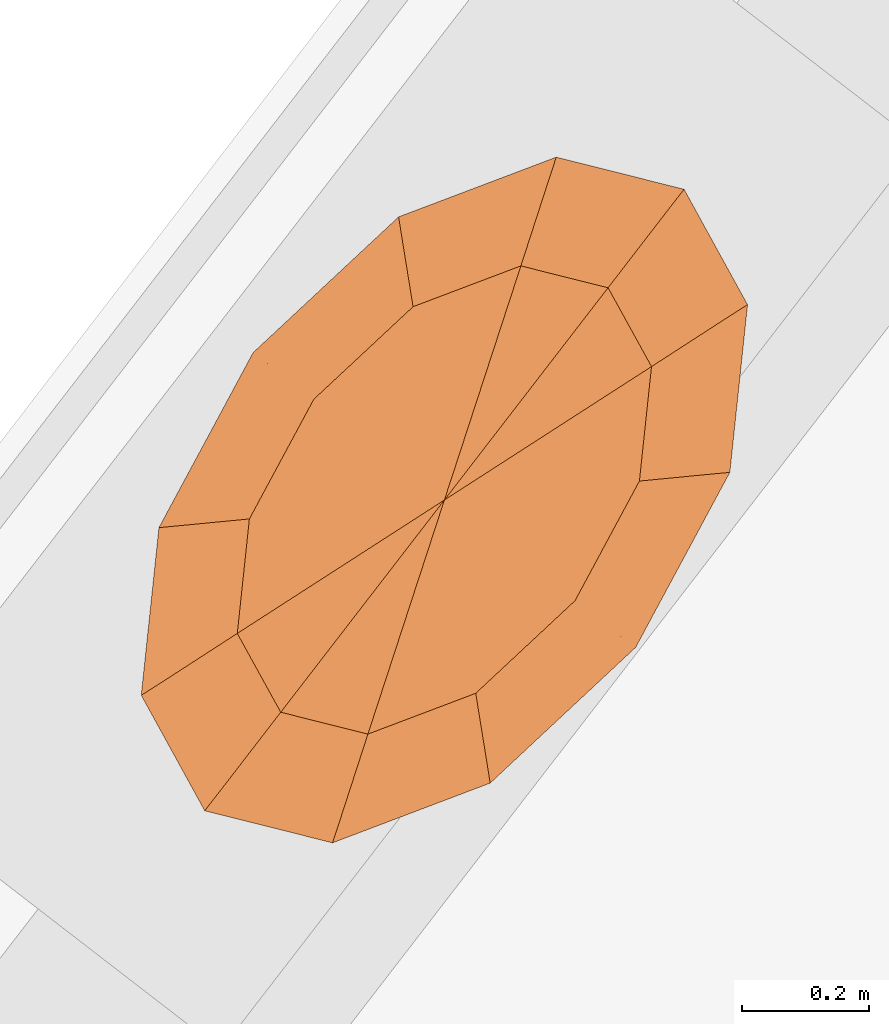
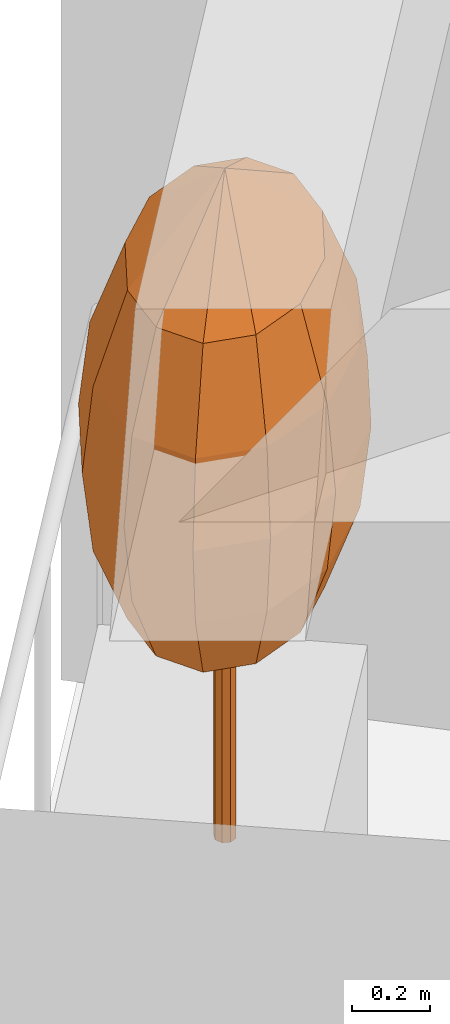
# One storey, part 13 of 13: 1 geographic element.
"""IFC4 building model written with IfcOpenShell, lengths in metres."""

import ifcopenshell
import ifcopenshell.guid

model = None  # the IFC model being written
_history = None  # IfcOwnerHistory: only IFC2X3 demands one
_inside = {}  # id of a spatial element -> (the spatial element, [elements in it])
_under = {}  # id of a project, library or spatial element -> (it, [spatial elements below it])
_declared = {}  # id of a project -> (the project, [libraries it declares])
_typed = {}  # id of a type object -> (the type object, [elements of that type])
_made_of = {}  # id of a material, layer set ... -> (it, [elements and type objects made of it])


def new_model(schema):
    """Start an empty IFC model of exactly this schema.

    Asked for "IFC4X3", IfcOpenShell would pick the latest addendum, in which some entities
    have other attributes; the version numbers below select the first issue.
    IFC2X3 requires an IfcOwnerHistory on every rooted entity: one is made here for all.
    """
    global model, _history
    if schema == "IFC4X3":
        model = ifcopenshell.file(schema_version=(4, 3, 0, 0))
    else:
        model = ifcopenshell.file(schema=schema)
    _inside.clear()
    _under.clear()
    _declared.clear()
    _typed.clear()
    _made_of.clear()
    _history = None
    if model.schema == "IFC2X3":
        org = make("IfcOrganization", Name="unknown")
        user = make(
            "IfcPersonAndOrganization",
            ThePerson=make("IfcPerson", FamilyName="unknown"),
            TheOrganization=org,
        )
        app = make(
            "IfcApplication",
            ApplicationDeveloper=org,
            Version="unknown",
            ApplicationFullName="unknown",
            ApplicationIdentifier="unknown",
        )
        _history = make(
            "IfcOwnerHistory",
            OwningUser=user,
            OwningApplication=app,
            ChangeAction="ADDED",
            CreationDate=0,
        )
    return model


def make(cls, **values):
    """One entity of the class cls with the attributes given. An attribute that is None is left unset."""
    return model.create_entity(
        cls, **{name: value for name, value in values.items() if value is not None}
    )


def rooted(cls, **values):
    """An entity with a GlobalId (a new one), such as an element, a storey or a relation."""
    return make(cls, GlobalId=ifcopenshell.guid.new(), OwnerHistory=_history, **values)


def si_unit(unit_type, name, prefix=None):
    """IfcSIUnit, for example si_unit("LENGTHUNIT", "METRE", prefix="MILLI")."""
    return make("IfcSIUnit", UnitType=unit_type, Prefix=prefix, Name=name)


def assignment(units):
    """IfcUnitAssignment: the units of a project."""
    return None if units is None else make("IfcUnitAssignment", Units=units)


def point(xyz):
    """IfcCartesianPoint."""
    return None if xyz is None else make("IfcCartesianPoint", Coordinates=xyz)


def direction(xyz):
    """IfcDirection."""
    return None if xyz is None else make("IfcDirection", DirectionRatios=xyz)


def frame(location, z_axis=None, x_axis=None):
    """IfcAxis2Placement3D, a coordinate frame: its origin and axes. An axis left out is left unset."""
    return make(
        "IfcAxis2Placement3D",
        Location=point(location),
        Axis=direction(z_axis),
        RefDirection=direction(x_axis),
    )


def origin():
    """The frame at (0, 0, 0) with its axes left unset."""
    return frame((0.0, 0.0, 0.0))


def place(relative_to, where):
    """IfcLocalPlacement: puts the frame where relative to a parent placement (None: the world)."""
    return make(
        "IfcLocalPlacement", PlacementRelTo=relative_to, RelativePlacement=where
    )


def context(
    kind, dimensions, precision=None, world=None, true_north=None, identifier=None
):
    """IfcGeometricRepresentationContext, for example the 3D "Model" context."""
    return make(
        "IfcGeometricRepresentationContext",
        ContextIdentifier=identifier,
        ContextType=kind,
        CoordinateSpaceDimension=dimensions,
        Precision=precision,
        WorldCoordinateSystem=world,
        TrueNorth=true_north,
    )


def subcontext(parent, identifier, kind, view, scale=None):
    """IfcGeometricRepresentationSubContext, for example "Body" below "Model"."""
    return make(
        "IfcGeometricRepresentationSubContext",
        ContextIdentifier=identifier,
        ContextType=kind,
        ParentContext=parent,
        TargetScale=scale,
        TargetView=view,
    )


def project(units=None, contexts=None):
    """IfcProject with its units and contexts."""
    return rooted(
        "IfcProject",
        Name="project",
        RepresentationContexts=contexts,
        UnitsInContext=assignment(units),
    )


def spatial(cls, under=None, at=None, **own):
    """A site, building, storey or space (cls), placed at a placement, below another one or the project."""
    s = rooted(cls, ObjectPlacement=at, **own)
    if under is not None:
        _under.setdefault(under.id(), (under, []))[1].append(s)
    return s


def faces_of(points, faces, orient=None, outer=None):
    """IfcFace entities. A face is a list of loops; a loop is a list of indices into points, from 0.

    orient and outer hold one flag for each loop. By default every Orientation is true, the
    first loop of a face is its IfcFaceOuterBound and the others are IfcFaceBound.
    """
    made = []
    for i, loops in enumerate(faces):
        bounds = []
        for j, loop in enumerate(loops):
            is_outer = j == 0 if outer is None else outer[i][j]
            bounds.append(
                make(
                    "IfcFaceOuterBound" if is_outer else "IfcFaceBound",
                    Bound=make("IfcPolyLoop", Polygon=[points[k] for k in loop]),
                    Orientation=True if orient is None else orient[i][j],
                )
            )
        made.append(make("IfcFace", Bounds=bounds))
    return made


def faceted_brep(points, faces, orient=None, outer=None, voids=None):
    """IfcFacetedBrep: a solid bounded by flat faces; with voids (closed shells), ...WithVoids."""
    shared = [point(p) for p in points]
    hull = make("IfcClosedShell", CfsFaces=faces_of(shared, faces, orient, outer))
    if voids is None:
        return make("IfcFacetedBrep", Outer=hull)
    return make(
        "IfcFacetedBrepWithVoids",
        Outer=hull,
        Voids=[
            make(cls, CfsFaces=faces_of(shared, fs, o, b)) for cls, fs, o, b in voids
        ],
    )


def shape(context_of_items, identifier, shape_type, items):
    """IfcShapeRepresentation: the items that make up one representation, for example the "Body"."""
    return make(
        "IfcShapeRepresentation",
        ContextOfItems=context_of_items,
        RepresentationIdentifier=identifier,
        RepresentationType=shape_type,
        Items=items,
    )


def material(Name=None, Category=None):
    """IfcMaterial."""
    return make("IfcMaterial", Name=Name, Category=Category)


def constituent(of_material, Name=None, Category=None, fraction=None):
    """IfcMaterialConstituent: one of the materials an element consists of."""
    return make(
        "IfcMaterialConstituent",
        Name=Name,
        Material=of_material,
        Fraction=fraction,
        Category=Category,
    )


def constituent_set(constituents=None, Name=None):
    """IfcMaterialConstituentSet."""
    return make(
        "IfcMaterialConstituentSet", Name=Name, MaterialConstituents=constituents
    )


def made_of(thing, what):
    """Note that an element or type object is made of a material, layer set ...; save() writes the relation."""
    if what is not None:
        _made_of.setdefault(what.id(), (what, []))[1].append(thing)
    return thing


def type_object(cls, material=None, **own):
    """A type object (cls), such as IfcWallType, which elements share."""
    return made_of(rooted(cls, **own), material)


def element(
    cls,
    number,
    at=None,
    inside=None,
    cuts=None,
    type_object=None,
    material=None,
    context=None,
    identifier="Body",
    shape_type=None,
    held_by="IfcProductDefinitionShape",
    body=None,
    shapes=None,
    **own,
):
    """One element of the class cls, such as IfcWall. Its Tag is "e" and its number.

    at: its placement. inside: the storey or other place that contains it. cuts: it is an
    opening in that element (IfcRelVoidsElement). A single representation is given by context,
    identifier, shape_type and body (its items); several are given by shapes. held_by: the class
    of the entity that holds the representations. save() writes the other relations.
    """
    e = rooted(cls, Tag="e%d" % number, ObjectPlacement=at, **own)
    if body is not None:
        shapes = [shape(context, identifier, shape_type, body)]
    if shapes is not None:
        e.Representation = make(held_by, Representations=shapes)
    if inside is not None:
        _inside.setdefault(inside.id(), (inside, []))[1].append(e)
    if cuts is not None:
        rooted(
            "IfcRelVoidsElement", RelatingBuildingElement=cuts, RelatedOpeningElement=e
        )
    if type_object is not None:
        _typed.setdefault(type_object.id(), (type_object, []))[1].append(e)
    return made_of(e, material)


def aggregate(whole, parts):
    """IfcRelAggregates: a whole, such as a stair, and the parts it consists of."""
    return rooted("IfcRelAggregates", RelatingObject=whole, RelatedObjects=parts)


def save(model, path):
    """Write the relations noted so far, then the file.

    IfcRelAggregates (storeys below a building ...), IfcRelContainedInSpatialStructure (elements
    in a storey), IfcRelDefinesByType, IfcRelAssociatesMaterial and IfcRelDeclares: one each for
    every whole, place, type object, material and project.
    """
    for whole, parts in _under.values():
        aggregate(whole, parts)
    for where, things in _inside.values():
        rooted(
            "IfcRelContainedInSpatialStructure",
            RelatedElements=things,
            RelatingStructure=where,
        )
    for kind, things in _typed.values():
        rooted("IfcRelDefinesByType", RelatedObjects=things, RelatingType=kind)
    for what, things in _made_of.values():
        rooted("IfcRelAssociatesMaterial", RelatedObjects=things, RelatingMaterial=what)
    for by, libraries in _declared.values():
        rooted("IfcRelDeclares", RelatingContext=by, RelatedDefinitions=libraries)
    model.write(path)


model = new_model("IFC4")

# Units and contexts
model_context = context("Model", 3, precision=1e-05, world=origin(), true_north=direction((0.0, 1.0)))
body_context = subcontext(model_context, "Body", "Model", "MODEL_VIEW")
ifc_project = project(units=[si_unit("LENGTHUNIT", "METRE"), si_unit("AREAUNIT", "SQUARE_METRE"), si_unit("VOLUMEUNIT", "CUBIC_METRE"), si_unit("PLANEANGLEUNIT", "RADIAN"), si_unit("MASSUNIT", "GRAM", prefix="KILO")], contexts=[model_context])

# Site, building, storey
site_placement = place(None, origin())
site = spatial("IfcSite", under=ifc_project, at=site_placement, CompositionType="ELEMENT")
building_placement = place(site_placement, origin())
building = spatial("IfcBuilding", under=site, at=building_placement, Name="Taillehof Tower", CompositionType="ELEMENT")
storey_placement = place(building_placement, frame((0.0, 0.0, 108.699951171875)))
storey = spatial("IfcBuildingStorey", under=building, at=storey_placement, Name="L30", CompositionType="ELEMENT", Elevation=108.699951171875)

# Geographic element
ifc_material_1 = material(Name="Tree bark", Category="timber")
ifc_constituent_1 = constituent(ifc_material_1, Name="Trunk", Category="timber")
ifc_material_2 = material(Name="Tree foliage")
ifc_constituent_2 = constituent(ifc_material_2, Name="Crown")
ifc_constituent_set = constituent_set(constituents=[ifc_constituent_1, ifc_constituent_2], Name="Tree TR1 Columnar hornbeam")
geographic_element_type = type_object("IfcGeographicElementType", Name="Tree TR1 Columnar hornbeam", PredefinedType="USERDEFINED", material=ifc_constituent_set)
geographic_element_placement = place(storey_placement, frame((-20.56689453125, 12.99609375, 0.75)))
element("IfcGeographicElement", 1, at=geographic_element_placement, inside=storey, type_object=geographic_element_type, Name="Tree TR1 Columnar hornbeam", ObjectType="TREE", PredefinedType="USERDEFINED", context=body_context, shape_type="Brep", body=[
    faceted_brep([(0.030029296875, 0.0, 0.0), (0.021240234375, 0.021240234375, 0.0), (0.021240234375, 0.021240234375, 1.092529296875), (0.030029296875, 0.0, 1.092529296875), (0.0, 0.030029296875, 0.0), (0.0, 0.030029296875, 1.092529296875), (-0.021240234375, 0.021240234375, 0.0), (-0.021240234375, 0.021240234375, 1.092529296875), (-0.030029296875, 0.0, 0.0), (-0.030029296875, 0.0, 1.092529296875), (-0.021240234375, -0.021240234375, 0.0), (-0.021240234375, -0.021240234375, 1.092529296875), (0.0, -0.030029296875, 0.0), (0.0, -0.030029296875, 1.092529296875), (0.021240234375, -0.021240234375, 0.0), (0.021240234375, -0.021240234375, 1.092529296875)], [[[0, 1, 2, 3]], [[1, 4, 5, 2]], [[4, 6, 7, 5]], [[6, 8, 9, 7]], [[8, 10, 11, 9]], [[10, 12, 13, 11]], [[12, 14, 15, 13]], [[14, 0, 3, 15]], [[14, 12, 10, 8, 6, 4, 1, 0]], [[3, 2, 5, 7, 9, 11, 13, 15]]]),
    faceted_brep([(0.0, 0.0, 0.550048828125), (-0.120361328125, -0.368408203125, 0.808349609375), (-0.257568359375, -0.333984375, 0.808349609375), (0.04931640625, -0.30419921875, 0.808349609375), (0.20556640625, -0.158447265625, 0.808349609375), (0.306884765625, 0.02978515625, 0.808349609375), (0.325927734375, 0.2099609375, 0.808349609375), (0.257568359375, 0.333984375, 0.808349609375), (0.120361328125, 0.368408203125, 0.808349609375), (-0.04931640625, 0.30419921875, 0.808349609375), (-0.20556640625, 0.158447265625, 0.808349609375), (-0.306884765625, -0.02978515625, 0.808349609375), (-0.325927734375, -0.2099609375, 0.808349609375), (-0.16259765625, -0.49853515625, 1.066650390625), (-0.348388671875, -0.451904296875, 1.066650390625), (0.066650390625, -0.41162109375, 1.066650390625), (0.278076171875, -0.21435546875, 1.066650390625), (0.4150390625, 0.040283203125, 1.066650390625), (0.440673828125, 0.2841796875, 1.066650390625), (0.348388671875, 0.451904296875, 1.066650390625), (0.16259765625, 0.49853515625, 1.066650390625), (-0.066650390625, 0.41162109375, 1.066650390625), (-0.278076171875, 0.21435546875, 1.066650390625), (-0.4150390625, -0.040283203125, 1.066650390625), (-0.440673828125, -0.2841796875, 1.066650390625), (-0.176025390625, -0.53955078125, 1.324951171875), (-0.377197265625, -0.489013671875, 1.324951171875), (0.072021484375, -0.445556640625, 1.324951171875), (0.301025390625, -0.23193359375, 1.324951171875), (0.44921875, 0.04345703125, 1.324951171875), (0.47705078125, 0.307373046875, 1.324951171875), (0.377197265625, 0.489013671875, 1.324951171875), (0.176025390625, 0.53955078125, 1.324951171875), (-0.072021484375, 0.445556640625, 1.324951171875), (-0.301025390625, 0.23193359375, 1.324951171875), (-0.44921875, -0.04345703125, 1.324951171875), (-0.47705078125, -0.307373046875, 1.324951171875), (-0.16259765625, -0.49853515625, 1.583251953125), (-0.348388671875, -0.451904296875, 1.583251953125), (0.066650390625, -0.41162109375, 1.583251953125), (0.278076171875, -0.21435546875, 1.583251953125), (0.4150390625, 0.040283203125, 1.583251953125), (0.440673828125, 0.2841796875, 1.583251953125), (0.348388671875, 0.451904296875, 1.583251953125), (0.16259765625, 0.49853515625, 1.583251953125), (-0.066650390625, 0.41162109375, 1.583251953125), (-0.278076171875, 0.21435546875, 1.583251953125), (-0.4150390625, -0.040283203125, 1.583251953125), (-0.440673828125, -0.2841796875, 1.583251953125), (-0.120361328125, -0.368408203125, 1.841552734375), (-0.257568359375, -0.333984375, 1.841552734375), (0.04931640625, -0.30419921875, 1.841552734375), (0.20556640625, -0.158447265625, 1.841552734375), (0.306884765625, 0.02978515625, 1.841552734375), (0.325927734375, 0.2099609375, 1.841552734375), (0.257568359375, 0.333984375, 1.841552734375), (0.120361328125, 0.368408203125, 1.841552734375), (-0.04931640625, 0.30419921875, 1.841552734375), (-0.20556640625, 0.158447265625, 1.841552734375), (-0.306884765625, -0.02978515625, 1.841552734375), (-0.325927734375, -0.2099609375, 1.841552734375), (0.0, 0.0, 2.10009765625)], [[[0, 1, 2]], [[0, 3, 1]], [[0, 4, 3]], [[0, 5, 4]], [[0, 6, 5]], [[0, 7, 6]], [[0, 8, 7]], [[0, 9, 8]], [[0, 10, 9]], [[0, 11, 10]], [[0, 12, 11]], [[0, 2, 12]], [[2, 1, 13, 14]], [[1, 3, 15, 13]], [[3, 4, 16, 15]], [[4, 5, 17, 16]], [[5, 6, 18, 17]], [[6, 7, 19, 18]], [[7, 8, 20, 19]], [[8, 9, 21, 20]], [[9, 10, 22, 21]], [[10, 11, 23, 22]], [[11, 12, 24, 23]], [[12, 2, 14, 24]], [[14, 13, 25, 26]], [[13, 15, 27, 25]], [[15, 16, 28, 27]], [[16, 17, 29, 28]], [[17, 18, 30, 29]], [[18, 19, 31, 30]], [[19, 20, 32, 31]], [[20, 21, 33, 32]], [[21, 22, 34, 33]], [[22, 23, 35, 34]], [[23, 24, 36, 35]], [[24, 14, 26, 36]], [[26, 25, 37, 38]], [[25, 27, 39, 37]], [[27, 28, 40, 39]], [[28, 29, 41, 40]], [[29, 30, 42, 41]], [[30, 31, 43, 42]], [[31, 32, 44, 43]], [[32, 33, 45, 44]], [[33, 34, 46, 45]], [[34, 35, 47, 46]], [[35, 36, 48, 47]], [[36, 26, 38, 48]], [[38, 37, 49, 50]], [[37, 39, 51, 49]], [[39, 40, 52, 51]], [[40, 41, 53, 52]], [[41, 42, 54, 53]], [[42, 43, 55, 54]], [[43, 44, 56, 55]], [[44, 45, 57, 56]], [[45, 46, 58, 57]], [[46, 47, 59, 58]], [[47, 48, 60, 59]], [[48, 38, 50, 60]], [[50, 49, 61]], [[49, 51, 61]], [[51, 52, 61]], [[52, 53, 61]], [[53, 54, 61]], [[54, 55, 61]], [[55, 56, 61]], [[56, 57, 61]], [[57, 58, 61]], [[58, 59, 61]], [[59, 60, 61]], [[60, 50, 61]]]),
])

save(model, "model.ifc")
